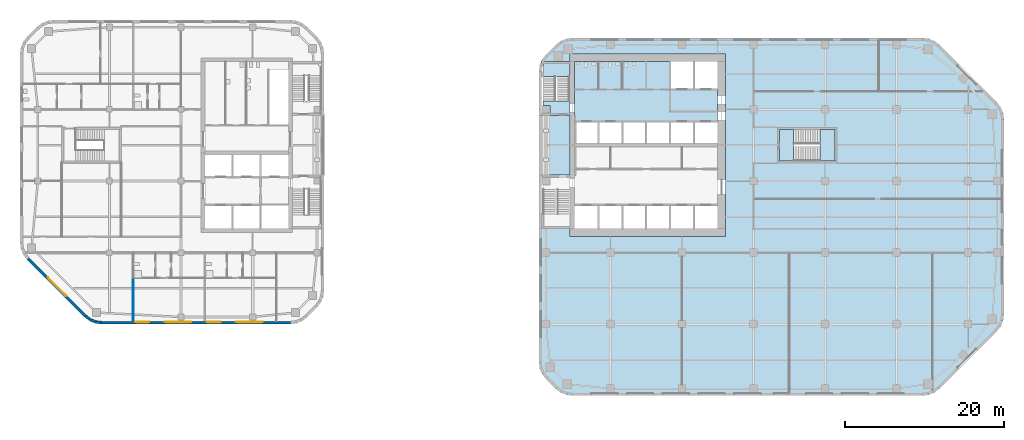
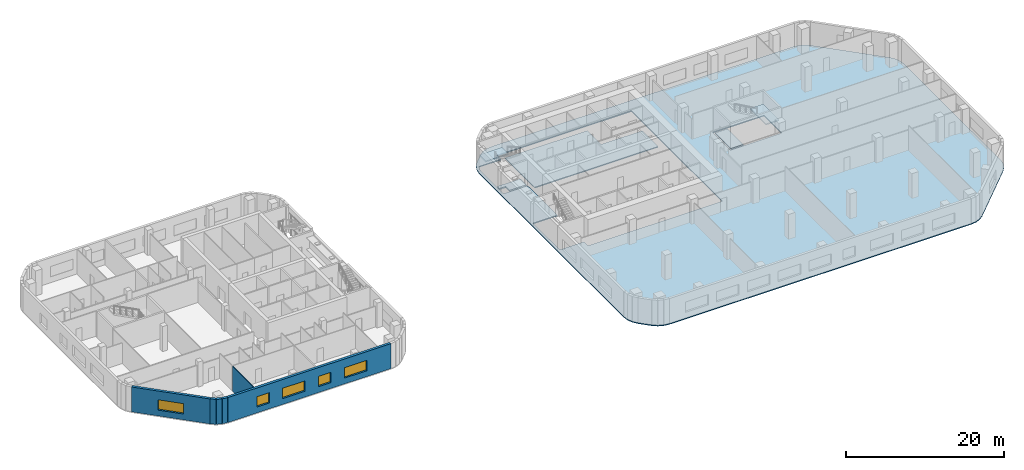
# One storey, part 4 of 15: 6 slabs, 6 walls, 5 windows, 5 openings, 2 elements without a shape of their own.
"""IFC4 building model written with IfcOpenShell, lengths in metres."""

from ifc_helpers import new_model, si_unit, direction, frame, frame_2d, origin, place, context, subcontext, project, spatial, polyline, rectangle, outline, extrude, material, layer, layer_set, type_object, element, fill, aggregate, save


model = new_model("IFC4")

# Units and contexts
model_context = context("Model", 3, precision=1e-05, world=origin(), true_north=direction((0.0, 1.0)))
body_context = subcontext(model_context, "Body", "Model", "MODEL_VIEW")
ifc_project = project(units=[si_unit("LENGTHUNIT", "METRE"), si_unit("AREAUNIT", "SQUARE_METRE"), si_unit("VOLUMEUNIT", "CUBIC_METRE"), si_unit("PLANEANGLEUNIT", "RADIAN"), si_unit("MASSUNIT", "GRAM", prefix="KILO")], contexts=[model_context])

# Site, building, storey
site_placement = place(None, origin())
site = spatial("IfcSite", under=ifc_project, at=site_placement, CompositionType="ELEMENT")
building_placement = place(site_placement, origin())
building = spatial("IfcBuilding", under=site, at=building_placement, Name="Cinnabar Reach Civic Tower", CompositionType="ELEMENT")
storey_placement = place(building_placement, frame((0.0, 0.0, 67.0)))
storey = spatial("IfcBuildingStorey", under=building, at=storey_placement, Name="L15", CompositionType="ELEMENT", Elevation=67.0)

# Slab
ifc_material_1 = material(Name="Concrete C40", Category="concrete")
ifc_layer_1 = layer(ifc_material_1, 0.15)
ifc_layer_set_1 = layer_set([ifc_layer_1], Name="Composite floor slab 150 REI 150")
slab_type_1 = type_object("IfcSlabType", Name="Composite floor slab 150 REI 150", PredefinedType="FLOOR", material=ifc_layer_set_1)
slab_1_placement = place(storey_placement, frame((0.0, 0.0, -0.15)))
element("IfcSlab", 1, at=slab_1_placement, inside=storey, type_object=slab_type_1, Name="Composite floor slab 150 T1 L15", PredefinedType="FLOOR", context=body_context, shape_type="SweptSolid", body=[
    extrude(outline(polyline([(0.8787, 2.1213), (0.4019, 2.7426), (0.1022, 3.4662), (0.0, 4.2426), (0.0, 40.7574), (0.1022, 41.5338), (0.4019, 42.2574), (0.8787, 42.8787), (2.1213, 44.1213), (2.7426, 44.5981), (3.4662, 44.8978), (4.2426, 45.0), (48.2574, 45.0), (49.0338, 44.8978), (49.7574, 44.5981), (50.3787, 44.1213), (57.6213, 36.8787), (58.0981, 36.2574), (58.3978, 35.5338), (58.5, 34.7574), (58.5, 10.2426), (58.3978, 9.4662), (58.0981, 8.7426), (57.6213, 8.1213), (50.3787, 0.8787), (49.7574, 0.4019), (49.0338, 0.1022), (48.2574, 0.0), (4.2426, 0.0), (3.4662, 0.1022), (2.7426, 0.4019), (2.1213, 0.8787), (0.8787, 2.1213)]), holes=[polyline([(0.36, 21.0), (3.9, 21.0), (3.9, 20.0), (23.5, 20.0), (23.5, 43.0), (3.9, 43.0), (3.9, 42.0), (0.685, 42.0), (0.453, 41.4398), (0.36, 40.7338), (0.36, 35.25), (3.9, 35.25), (3.9, 27.75), (0.36, 27.75), (0.36, 21.0)]), polyline([(30.0, 33.75), (30.0, 29.25), (37.5, 29.25), (37.5, 33.75), (30.0, 33.75)])]), origin(), (0.0, 0.0, 1.0), 0.15),
])

# Stair, slabs
ifc_material_2 = material(Name="Concrete C40/50", Category="concrete")
stair_type = type_object("IfcStairType", Name="T1 Exit stair, half-turn", PredefinedType="HALF_TURN_STAIR", material=ifc_material_2)
stair_1_placement = place(storey_placement, origin())
stair_1 = element("IfcStair", 2, at=stair_1_placement, inside=storey, type_object=stair_type, Name="Stair T1-S2", PredefinedType="HALF_TURN_STAIR")
ifc_layer_2 = layer(ifc_material_2, 0.2)
ifc_layer_set_2 = layer_set([ifc_layer_2], Name="T1 Stair landing 200, Concrete C40/50")
slab_type_2 = type_object("IfcSlabType", Name="T1 Stair landing 200, Concrete C40/50", PredefinedType="LANDING", material=ifc_layer_set_2)
slab_2_placement = place(storey_placement, frame((0.0, 0.0, -0.2)))
slab_2 = element("IfcSlab", 3, at=slab_2_placement, type_object=slab_type_2, Name="T1-S2 landing 1", PredefinedType="LANDING", context=body_context, shape_type="SweptSolid", body=[
    extrude(outline(polyline([(0.5, 37.05), (3.9, 37.05), (3.9, 35.5), (1.4, 35.5), (1.4, 36.5), (0.5, 36.5), (0.5, 37.05)])), origin(), (0.0, 0.0, 1.0), 0.2),
])
slab_3_placement = place(storey_placement, frame((0.0, 0.0, 1.8)))
slab_3 = element("IfcSlab", 4, at=slab_3_placement, type_object=slab_type_2, Name="T1-S2 landing 2", PredefinedType="LANDING", context=body_context, shape_type="SweptSolid", body=[
    extrude(outline(polyline([(0.6, 40.13), (0.6, 41.75), (3.9, 41.75), (3.9, 40.13), (0.6, 40.13)])), origin(), (0.0, 0.0, 1.0), 0.2),
])
aggregate(stair_1, [slab_2, slab_3])

stair_2_placement = place(storey_placement, origin())
stair_2 = element("IfcStair", 5, at=stair_2_placement, inside=storey, type_object=stair_type, Name="Stair T1-S3", PredefinedType="HALF_TURN_STAIR")
slab_4_placement = place(storey_placement, frame((0.0, 0.0, -0.2)))
slab_4 = element("IfcSlab", 6, at=slab_4_placement, type_object=slab_type_2, Name="T1-S3 landing 1", PredefinedType="LANDING", context=body_context, shape_type="SweptSolid", body=[
    extrude(outline(polyline([(30.25, 29.5), (32.05, 29.5), (32.05, 33.5), (30.25, 33.5), (30.25, 29.5)])), origin(), (0.0, 0.0, 1.0), 0.2),
])
slab_5_placement = place(storey_placement, frame((0.0, 0.0, 1.8)))
slab_5 = element("IfcSlab", 7, at=slab_5_placement, type_object=slab_type_2, Name="T1-S3 landing 2", PredefinedType="LANDING", context=body_context, shape_type="SweptSolid", body=[
    extrude(outline(polyline([(35.35, 29.5), (37.25, 29.5), (37.25, 33.5), (35.35, 33.5), (35.35, 29.5)])), origin(), (0.0, 0.0, 1.0), 0.2),
])
aggregate(stair_2, [slab_4, slab_5])

# Slab
ifc_layer_3 = layer(ifc_material_2, 0.15)
ifc_layer_set_3 = layer_set([ifc_layer_3], Name="T1 core floor slab 150")
slab_type_3 = type_object("IfcSlabType", Name="T1 core floor slab 150", PredefinedType="FLOOR", material=ifc_layer_set_3)
slab_6_placement = place(storey_placement, frame((0.0, 0.0, -0.15)))
element("IfcSlab", 8, at=slab_6_placement, inside=storey, type_object=slab_type_3, Name="Core floor slab L15", PredefinedType="FLOOR", context=body_context, shape_type="SweptSolid", body=[
    extrude(outline(polyline([(22.5, 34.5), (19.5, 34.5), (16.5, 34.5), (13.5, 34.5), (10.5, 34.5), (7.5, 34.5), (4.5, 34.5), (4.5, 42.0), (16.5, 42.0), (16.5, 38.5), (19.5, 38.5), (22.5, 38.5), (22.5, 34.5)])), origin(), (0.0, 0.0, 1.0), 0.15),
])

# Walls
ifc_material_3 = material(Name="Facing brick with insulated backing", Category="masonry")
ifc_layer_4 = layer(ifc_material_3, 0.36)
ifc_layer_set_4 = layer_set([ifc_layer_4], Name="Brick corner wall")
wall_type_1 = type_object("IfcWallType", Name="Brick corner wall", PredefinedType="STANDARD", material=ifc_layer_set_4)
wall_1_placement = place(storey_placement, frame((-56.9913, 10.0002, 0.0), z_axis=(0.0, 0.0, 1.0), x_axis=(0.793321924995, -0.608802368033, 0.0)))
element("IfcWall", 9, at=wall_1_placement, inside=storey, type_object=wall_type_1, Name="Brick corner wall", PredefinedType="STANDARD", context=body_context, shape_type="SweptSolid", body=[
    extrude(rectangle(XDim=0.7132, YDim=0.36, at=frame_2d((0.3566, 0.0))), origin(), (0.0, 0.0, 1.0), 3.85),
])
for number, where, z_axis, x_axis, name in (
    (10, (-56.4061, 9.5548, 0.0), (0.0, 0.0, 1.0), (0.923871547278, -0.382702709855, 0.0), "Brick corner wall"),
    (11, (-55.7256, 9.2761, 0.0), (0.0, 0.0, 1.0), (0.99144092581, -0.13055608231, 0.0), "Brick corner wall"),
):
    element("IfcWall", number, at=place(storey_placement, frame(where, z_axis=z_axis, x_axis=x_axis)), inside=storey, type_object=wall_type_1, Name=name, PredefinedType="STANDARD", context=body_context, shape_type="SweptSolid", body=[
        extrude(rectangle(XDim=0.7131, YDim=0.36, at=frame_2d((0.3565, 0.0))), origin(), (0.0, 0.0, 1.0), 3.85),
    ])

# Wall, openings, windows
ifc_layer_5 = layer(ifc_material_3, 0.36)
ifc_layer_set_5 = layer_set([ifc_layer_5], Name="Brick pier and spandrel wall")
wall_type_2 = type_object("IfcWallType", Name="Brick pier and spandrel wall", PredefinedType="STANDARD", material=ifc_layer_set_5)
wall_2_placement = place(storey_placement, frame((-55.0074, 9.18, 0.0), z_axis=(0.0, 0.0, 1.0), x_axis=(1.0, 0.0, 0.0)))
wall_2 = element("IfcWall", 12, at=wall_2_placement, inside=storey, type_object=wall_type_2, Name="Brick facade wall", PredefinedType="STANDARD", context=body_context, shape_type="SweptSolid", body=[
    extrude(rectangle(XDim=23.7648, YDim=0.36, at=frame_2d((11.8824, 0.0))), origin(), (0.0, 0.0, 1.0), 3.85),
])
opening_1_placement = place(wall_2_placement, frame((4.2324, 0.0, 0.9)))
opening_1 = element("IfcOpeningElement", 13, at=opening_1_placement, cuts=wall_2, Name="Opening W2551", PredefinedType="OPENING", context=body_context, shape_type="SweptSolid", body=[
    extrude(rectangle(XDim=1.8, YDim=1.6, at=frame_2d((0.9, 0.8))), frame((0.0, 0.19, 0.0), z_axis=(0.0, -1.0, 0.0), x_axis=(1.0, 0.0, 0.0)), (0.0, 0.0, 1.0), 0.38),
])
opening_2_placement = place(wall_2_placement, frame((7.9824, 0.0, 0.9)))
opening_2 = element("IfcOpeningElement", 14, at=opening_2_placement, cuts=wall_2, Name="Opening W2552", PredefinedType="OPENING", context=body_context, shape_type="SweptSolid", body=[
    extrude(rectangle(XDim=3.3, YDim=1.6, at=frame_2d((1.65, 0.8))), frame((0.0, 0.19, 0.0), z_axis=(0.0, -1.0, 0.0), x_axis=(1.0, 0.0, 0.0)), (0.0, 0.0, 1.0), 0.38),
])
opening_3_placement = place(wall_2_placement, frame((13.2324, 0.0, 0.9)))
opening_3 = element("IfcOpeningElement", 15, at=opening_3_placement, cuts=wall_2, Name="Opening W2553", PredefinedType="OPENING", context=body_context, shape_type="SweptSolid", body=[
    extrude(rectangle(XDim=1.8, YDim=1.6, at=frame_2d((0.9, 0.8))), frame((0.0, 0.19, 0.0), z_axis=(0.0, -1.0, 0.0), x_axis=(1.0, 0.0, 0.0)), (0.0, 0.0, 1.0), 0.38),
])
opening_4_placement = place(wall_2_placement, frame((16.9824, 0.0, 0.9)))
opening_4 = element("IfcOpeningElement", 16, at=opening_4_placement, cuts=wall_2, Name="Opening W2554", PredefinedType="OPENING", context=body_context, shape_type="SweptSolid", body=[
    extrude(rectangle(XDim=3.3, YDim=1.6, at=frame_2d((1.65, 0.8))), frame((0.0, 0.19, 0.0), z_axis=(0.0, -1.0, 0.0), x_axis=(1.0, 0.0, 0.0)), (0.0, 0.0, 1.0), 0.38),
])
ifc_material_4 = material(Name="Clear double glazing in aluminium frame", Category="aluminium")
window_type_1 = type_object("IfcWindowType", Name="Deep-set window A", PartitioningType="SINGLE_PANEL", PredefinedType="WINDOW", material=ifc_material_4)
window_1_placement = place(opening_2_placement, origin())
window_1 = element("IfcWindow", 17, at=window_1_placement, inside=storey, type_object=window_type_1, Name="Window south face", OverallHeight=1.6, OverallWidth=3.3, PartitioningType="SINGLE_PANEL", PredefinedType="WINDOW", context=body_context, shape_type="SweptSolid", body=[
    extrude(rectangle(XDim=3.3, YDim=1.6, at=frame_2d((1.65, 0.8))), frame((0.0, 0.13, 0.0), z_axis=(0.0, -1.0, 0.0), x_axis=(1.0, 0.0, 0.0)), (0.0, 0.0, 1.0), 0.06),
])
fill(opening_2, window_1)
window_2_placement = place(opening_4_placement, origin())
window_2 = element("IfcWindow", 18, at=window_2_placement, inside=storey, type_object=window_type_1, Name="Window south face", OverallHeight=1.6, OverallWidth=3.3, PartitioningType="SINGLE_PANEL", PredefinedType="WINDOW", context=body_context, shape_type="SweptSolid", body=[
    extrude(rectangle(XDim=3.3, YDim=1.6, at=frame_2d((1.65, 0.8))), frame((0.0, 0.13, 0.0), z_axis=(0.0, -1.0, 0.0), x_axis=(1.0, 0.0, 0.0)), (0.0, 0.0, 1.0), 0.06),
])
fill(opening_4, window_2)
window_type_2 = type_object("IfcWindowType", Name="Deep-set window D", PartitioningType="SINGLE_PANEL", PredefinedType="WINDOW", material=ifc_material_4)
window_3_placement = place(opening_1_placement, origin())
window_3 = element("IfcWindow", 19, at=window_3_placement, inside=storey, type_object=window_type_2, Name="Window south face", OverallHeight=1.6, OverallWidth=1.8, PartitioningType="SINGLE_PANEL", PredefinedType="WINDOW", context=body_context, shape_type="SweptSolid", body=[
    extrude(rectangle(XDim=1.8, YDim=1.6, at=frame_2d((0.9, 0.8))), frame((0.0, 0.13, 0.0), z_axis=(0.0, -1.0, 0.0), x_axis=(1.0, 0.0, 0.0)), (0.0, 0.0, 1.0), 0.06),
])
fill(opening_1, window_3)
window_4_placement = place(opening_3_placement, origin())
window_4 = element("IfcWindow", 20, at=window_4_placement, inside=storey, type_object=window_type_2, Name="Window south face", OverallHeight=1.6, OverallWidth=1.8, PartitioningType="SINGLE_PANEL", PredefinedType="WINDOW", context=body_context, shape_type="SweptSolid", body=[
    extrude(rectangle(XDim=1.8, YDim=1.6, at=frame_2d((0.9, 0.8))), frame((0.0, 0.13, 0.0), z_axis=(0.0, -1.0, 0.0), x_axis=(1.0, 0.0, 0.0)), (0.0, 0.0, 1.0), 0.06),
])
fill(opening_3, window_4)

# Wall, opening, window
wall_3_placement = place(storey_placement, frame((-64.244, 17.2486, 0.0), z_axis=(0.0, 0.0, 1.0), x_axis=(0.707106781187, -0.707106781187, 0.0)))
wall_3 = element("IfcWall", 21, at=wall_3_placement, inside=storey, type_object=wall_type_2, Name="Brick facade wall", PredefinedType="STANDARD", context=body_context, shape_type="SweptSolid", body=[
    extrude(rectangle(XDim=10.2426, YDim=0.36, at=frame_2d((5.1213, 0.0))), origin(), (0.0, 0.0, 1.0), 3.85),
])
opening_5_placement = place(wall_3_placement, frame((3.4713, 0.0, 0.9)))
opening_5 = element("IfcOpeningElement", 22, at=opening_5_placement, cuts=wall_3, Name="Opening W2567", PredefinedType="OPENING", context=body_context, shape_type="SweptSolid", body=[
    extrude(rectangle(XDim=3.3, YDim=1.6, at=frame_2d((1.65, 0.8))), frame((0.0, 0.19, 0.0), z_axis=(0.0, -1.0, 0.0), x_axis=(1.0, 0.0, 0.0)), (0.0, 0.0, 1.0), 0.38),
])
window_5_placement = place(opening_5_placement, origin())
window_5 = element("IfcWindow", 23, at=window_5_placement, inside=storey, type_object=window_type_1, Name="Window southwest face", OverallHeight=1.6, OverallWidth=3.3, PartitioningType="SINGLE_PANEL", PredefinedType="WINDOW", context=body_context, shape_type="SweptSolid", body=[
    extrude(rectangle(XDim=3.3, YDim=1.6, at=frame_2d((1.65, 0.8))), frame((0.0, 0.13, 0.0), z_axis=(0.0, -1.0, 0.0), x_axis=(1.0, 0.0, 0.0)), (0.0, 0.0, 1.0), 0.06),
])
fill(opening_5, window_5)

# Wall
ifc_material_5 = material(Name="Gypsum board on steel studs", Category="steel")
ifc_layer_6 = layer(ifc_material_5, 0.1)
ifc_layer_set_6 = layer_set([ifc_layer_6], Name="Partition wall 100 T2")
wall_type_3 = type_object("IfcWallType", Name="Partition wall 100 T2", PredefinedType="PARTITIONING", material=ifc_layer_set_6)
wall_4_placement = place(storey_placement, frame((-51.0, 9.36, 0.0), z_axis=(0.0, 0.0, 1.0), x_axis=(0.0, 1.0, 0.0)))
element("IfcWall", 24, at=wall_4_placement, inside=storey, type_object=wall_type_3, Name="Partition wall 25", PredefinedType="PARTITIONING", context=body_context, shape_type="SweptSolid", body=[
    extrude(rectangle(XDim=5.39, YDim=0.1, at=frame_2d((2.695, 0.0))), origin(), (0.0, 0.0, 1.0), 3.85),
])

save(model, "model.ifc")
